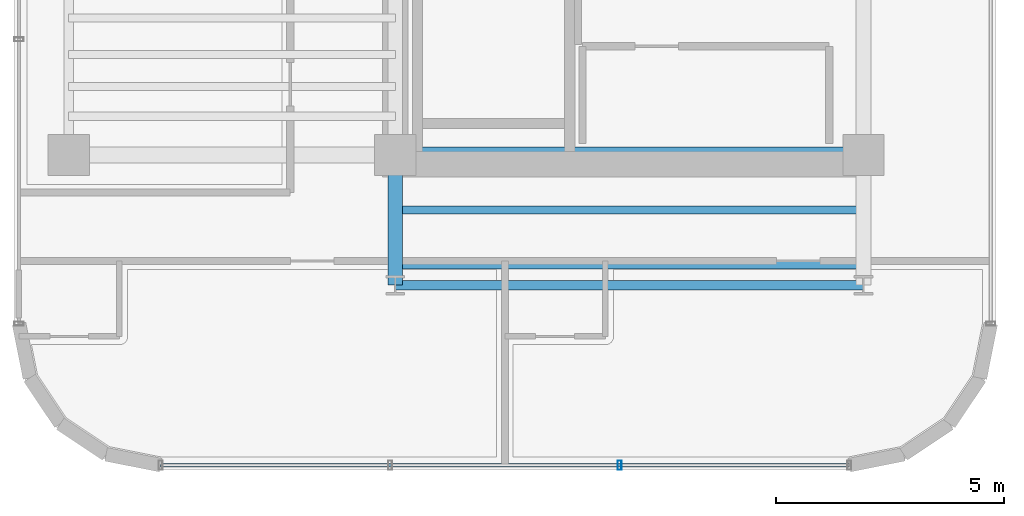
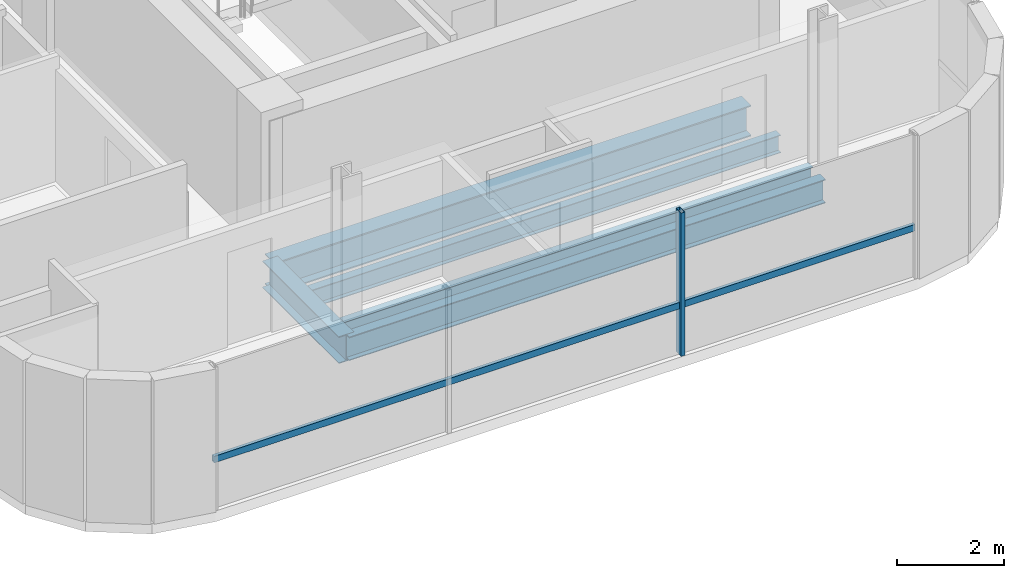
# One storey, part 3 of 23: 5 beams, 2 members, 1 element without a shape of its own.
"""IFC4 building model written with IfcOpenShell, lengths in metres."""

from ifc_helpers import new_model, si_unit, direction, frame, origin, origin_2d, place, context, subcontext, project, spatial, hollow_rectangle, i_section, extrude, source, transform, mapped, material, material_profile, profile_set, type_object, element, aggregate, save


model = new_model("IFC4")

# Units and contexts
model_context = context("Model", 3, precision=1e-05, world=origin(), true_north=direction((0.0, 1.0)))
body_context = subcontext(model_context, "Body", "Model", "MODEL_VIEW")
ifc_project = project(units=[si_unit("LENGTHUNIT", "METRE"), si_unit("AREAUNIT", "SQUARE_METRE"), si_unit("VOLUMEUNIT", "CUBIC_METRE"), si_unit("PLANEANGLEUNIT", "RADIAN"), si_unit("MASSUNIT", "GRAM", prefix="KILO")], contexts=[model_context])

# Site, building, storey
site_placement = place(None, origin())
site = spatial("IfcSite", under=ifc_project, at=site_placement, CompositionType="ELEMENT")
building_placement = place(site_placement, origin())
building = spatial("IfcBuilding", under=site, at=building_placement, Name="Valdorenza Pilgrim Sanctuary Tower", CompositionType="ELEMENT")
storey_placement = place(building_placement, frame((0.0, 0.0, 226.5)))
storey = spatial("IfcBuildingStorey", under=building, at=storey_placement, Name="L58", CompositionType="ELEMENT", Elevation=226.5)

# Beams
ifc_material_1 = material(Name="Steel ASTM A992 Grade 50", Category="steel")
ifc_material_profile_1 = material_profile(ifc_material_1, i_section(OverallWidth=0.323974609375, OverallDepth=0.611083984375, WebThickness=0.0126953125, FlangeThickness=0.01904296875, at=origin_2d()), Name="W24X104")
ifc_profile_set_1 = profile_set([ifc_material_profile_1], Name="Steel ASTM A992 Grade 50")
beam_type_1 = type_object("IfcBeamType", Name="STR-BM-GRD-W24B", PredefinedType="BEAM", material=ifc_profile_set_1)
shared_shape_1 = source(origin(), body_context, "Body", "SweptSolid", [
    extrude(i_section(OverallWidth=0.323974609375, OverallDepth=0.611083984375, WebThickness=0.0126953125, FlangeThickness=0.01904296875, at=origin_2d()), origin(), (0.0, 0.0, 1.0), 2.849853515625),
])
beam_1_placement = place(storey_placement, frame((-22.64990234375, -13.449951171875, -0.54541015625), z_axis=(0.0, 1.0, 0.0), x_axis=(-1.0, 0.0, 0.0)))
element("IfcBeam", 1, at=beam_1_placement, inside=storey, type_object=beam_type_1, Name="L58 Floor Girder WA-S-LW", PredefinedType="BEAM", context=body_context, shape_type="MappedRepresentation", body=[
    mapped(shared_shape_1, transform((0.0, 0.0, 0.0), x_axis=(1.0, 0.0, 0.0), y_axis=(0.0, 1.0, 0.0), z_axis=(0.0, 0.0, 1.0), scale=1.0)),
])
ifc_material_profile_2 = material_profile(ifc_material_1, i_section(OverallWidth=0.2109375, OverallDepth=0.5390625, WebThickness=0.01171875, FlangeThickness=0.018798828125, at=origin_2d()), Name="W21X73")
ifc_profile_set_2 = profile_set([ifc_material_profile_2], Name="Steel ASTM A992 Grade 50")
beam_type_2 = type_object("IfcBeamType", Name="STR-BM-SPN-W21B", PredefinedType="SPANDREL", material=ifc_profile_set_2)
shared_shape_2 = source(origin(), body_context, "Body", "SweptSolid", [
    extrude(i_section(OverallWidth=0.2109375, OverallDepth=0.5390625, WebThickness=0.01171875, FlangeThickness=0.018798828125, at=origin_2d()), origin(), (0.0, 0.0, 1.0), 10.25),
])
beam_2_placement = place(storey_placement, frame((-22.64990234375, -13.449951171875, -0.509521484375), z_axis=(1.0, 0.0, 0.0), x_axis=(0.0, 1.0, 0.0)))
element("IfcBeam", 2, at=beam_2_placement, inside=storey, type_object=beam_type_2, Name="L58 South Spandrel WA-S-TIE", PredefinedType="SPANDREL", context=body_context, shape_type="MappedRepresentation", body=[
    mapped(shared_shape_2, transform((0.0, 0.0, 0.0), x_axis=(1.0, 0.0, 0.0), y_axis=(0.0, 1.0, 0.0), z_axis=(0.0, 0.0, 1.0), scale=1.0)),
])
ifc_material_profile_3 = material_profile(ifc_material_1, i_section(OverallWidth=0.35595703125, OverallDepth=0.700927734375, WebThickness=0.016845703125, FlangeThickness=0.02734375, at=origin_2d()), Name="W27X161")
ifc_profile_set_3 = profile_set([ifc_material_profile_3], Name="Steel ASTM A992 Grade 50")
beam_type_3 = type_object("IfcBeamType", Name="STR-BM-GRD-W27", PredefinedType="BEAM", material=ifc_profile_set_3)
shared_shape_3 = source(origin(), body_context, "Body", "SweptSolid", [
    extrude(i_section(OverallWidth=0.35595703125, OverallDepth=0.700927734375, WebThickness=0.016845703125, FlangeThickness=0.02734375, at=origin_2d()), origin(), (0.0, 0.0, 1.0), 10.25),
])
beam_3_placement = place(storey_placement, frame((-22.64990234375, -10.60009765625, -0.590576171875), z_axis=(1.0, 0.0, 0.0), x_axis=(0.0, 1.0, 0.0)))
element("IfcBeam", 3, at=beam_3_placement, inside=storey, type_object=beam_type_3, Name="L58 Floor Girder CA-XC-S1", PredefinedType="BEAM", context=body_context, shape_type="MappedRepresentation", body=[
    mapped(shared_shape_3, transform((0.0, 0.0, 0.0), x_axis=(1.0, 0.0, 0.0), y_axis=(0.0, 1.0, 0.0), z_axis=(0.0, 0.0, 1.0), scale=1.0)),
])
ifc_material_profile_4 = material_profile(ifc_material_1, i_section(OverallWidth=0.177978515625, OverallDepth=0.406005859375, WebThickness=0.0078125, FlangeThickness=0.0126953125, at=origin_2d()), Name="W16X40")
ifc_profile_set_4 = profile_set([ifc_material_profile_4], Name="Steel ASTM A992 Grade 50")
beam_type_4 = type_object("IfcBeamType", Name="STR-BM-JST-W16", PredefinedType="JOIST", material=ifc_profile_set_4)
shared_shape_4 = source(origin(), body_context, "Body", "SweptSolid", [
    extrude(i_section(OverallWidth=0.177978515625, OverallDepth=0.406005859375, WebThickness=0.0078125, FlangeThickness=0.0126953125, at=origin_2d()), origin(), (0.0, 0.0, 1.0), 10.25),
])
for number, where, z_axis, x_axis, name in (
    (4, (-22.64990234375, -13.0, -0.443115234375), (1.0, 0.0, 0.0), (0.0, 1.0, 0.0), "L58 Composite Floor Joist JST-WAS-1"),
    (5, (-22.64990234375, -11.800048828125, -0.443115234375), (1.0, 0.0, 0.0), (0.0, 1.0, 0.0), "L58 Composite Floor Joist JST-WAS-2"),
):
    element("IfcBeam", number, at=place(storey_placement, frame(where, z_axis=z_axis, x_axis=x_axis)), inside=storey, type_object=beam_type_4, Name=name, PredefinedType="JOIST", context=body_context, shape_type="MappedRepresentation", body=[
        mapped(shared_shape_4, transform((0.0, 0.0, 0.0), x_axis=(1.0, 0.0, 0.0), y_axis=(0.0, 1.0, 0.0), z_axis=(0.0, 0.0, 1.0), scale=1.0)),
    ])

# Curtain wall, members
ifc_material_2 = material(Name="Curtain-wall IGU glazing", Category="glass")
curtain_wall_type = type_object("IfcCurtainWallType", Name="CW-SYS-02", PredefinedType="NOTDEFINED", material=ifc_material_2)
curtain_wall_placement = place(storey_placement, origin())
curtain_wall = element("IfcCurtainWall", 6, at=curtain_wall_placement, inside=storey, type_object=curtain_wall_type, Name="L58 Curtain Wall CW-L58-1-26", PredefinedType="NOTDEFINED")
ifc_material_3 = material(Name="Anodised aluminium AW-6060", Category="aluminium")
ifc_material_profile_5 = material_profile(ifc_material_3, hollow_rectangle(XDim=0.074951171875, YDim=0.14990234375, WallThickness=0.00390625, at=origin_2d()), Name="ALU-T 150x75x4")
ifc_profile_set_5 = profile_set([ifc_material_profile_5], Name="Anodised aluminium AW-6060")
member_type_1 = type_object("IfcMemberType", Name="CW-TRN-02", PredefinedType="USERDEFINED", material=ifc_profile_set_5)
shared_shape_5 = source(origin(), body_context, "Body", "SweptSolid", [
    extrude(hollow_rectangle(XDim=0.074951171875, YDim=0.14990234375, WallThickness=0.00390625, at=origin_2d()), origin(), (0.0, 0.0, 1.0), 15.07861328125),
])
member_1_placement = place(storey_placement, frame((-12.710693359375, -17.389892578125, 1.1201171875), z_axis=(-1.0, 0.0, 0.0), x_axis=(0.0, -1.0, 0.0)))
member_1 = element("IfcMember", 7, at=member_1_placement, type_object=member_type_1, Name="CW-L58-1-26 Transom 1", ObjectType="TRANSOM", PredefinedType="USERDEFINED", context=body_context, shape_type="MappedRepresentation", body=[
    mapped(shared_shape_5, transform((0.0, 0.0, 0.0), x_axis=(1.0, 0.0, 0.0), y_axis=(0.0, 1.0, 0.0), z_axis=(0.0, 0.0, 1.0), scale=1.0)),
])
ifc_material_profile_6 = material_profile(ifc_material_3, hollow_rectangle(XDim=0.0849609375, YDim=0.199951171875, WallThickness=0.0048828125, at=origin_2d()), Name="ALU-M 200x85x5")
ifc_profile_set_6 = profile_set([ifc_material_profile_6], Name="Anodised aluminium AW-6060")
member_type_2 = type_object("IfcMemberType", Name="CW-MUL-02", PredefinedType="MULLION", material=ifc_profile_set_6)
shared_shape_6 = source(origin(), body_context, "Body", "SweptSolid", [
    extrude(hollow_rectangle(XDim=0.0849609375, YDim=0.199951171875, WallThickness=0.0048828125, at=origin_2d()), origin(), (0.0, 0.0, 1.0), 3.260009765625),
])
member_2_placement = place(storey_placement, frame((-17.73681640625, -17.389892578125, 0.0), z_axis=(0.0, 0.0, 1.0), x_axis=(-1.0, 0.0, 0.0)))
member_2 = element("IfcMember", 8, at=member_2_placement, type_object=member_type_2, Name="CW-L58-1-26 Mullion 2", PredefinedType="MULLION", context=body_context, shape_type="MappedRepresentation", body=[
    mapped(shared_shape_6, transform((0.0, 0.0, 0.0), x_axis=(1.0, 0.0, 0.0), y_axis=(0.0, 1.0, 0.0), z_axis=(0.0, 0.0, 1.0), scale=1.0)),
])
aggregate(curtain_wall, [member_2, member_1])

save(model, "model.ifc")
